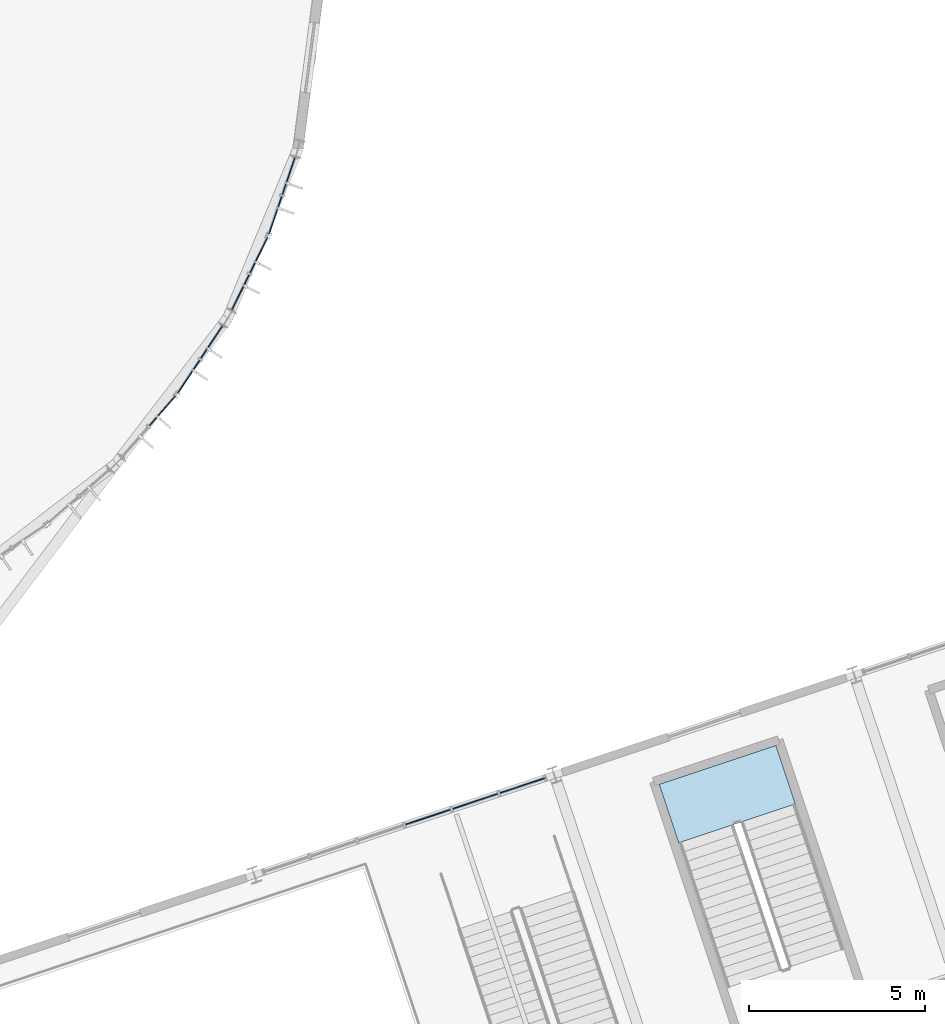
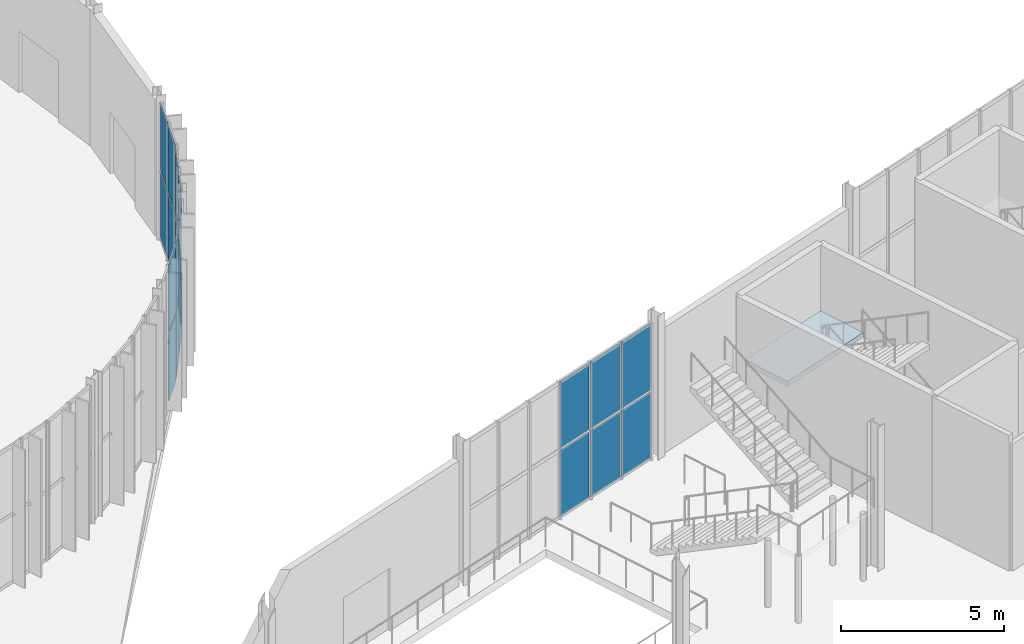
# One storey, part 109 of 158: 20 plates, 1 slab, 6 elements without a shape of their own.
"""IFC4 building model written with IfcOpenShell, lengths in metres."""

from ifc_helpers import new_model, si_unit, derived_unit, direction, frame, origin, origin_2d, place, context, subcontext, project, spatial, polyline, rectangle, outline, extrude, material, layer, layer_set, type_object, element, aggregate, save


model = new_model("IFC4")

# Units and contexts
model_context = context("Model", 3, precision=1e-05, world=origin(), true_north=direction((0.0, 1.0)))
body_context = subcontext(model_context, "Body", "Model", "MODEL_VIEW")
ifc_project = project(units=[si_unit("LENGTHUNIT", "METRE"), si_unit("AREAUNIT", "SQUARE_METRE"), si_unit("VOLUMEUNIT", "CUBIC_METRE"), si_unit("PLANEANGLEUNIT", "RADIAN"), si_unit("MASSUNIT", "GRAM", prefix="KILO"), si_unit("THERMODYNAMICTEMPERATUREUNIT", "KELVIN"), si_unit("TIMEUNIT", "SECOND"), derived_unit("THERMALTRANSMITTANCEUNIT", [(si_unit("MASSUNIT", "GRAM", prefix="KILO"), 1), (si_unit("THERMODYNAMICTEMPERATUREUNIT", "KELVIN"), -1), (si_unit("TIMEUNIT", "SECOND"), -3)])], contexts=[model_context])

# Site, building, storey
site_placement = place(None, origin())
site = spatial("IfcSite", under=ifc_project, at=site_placement, CompositionType="ELEMENT")
building_placement = place(site_placement, origin())
building = spatial("IfcBuilding", under=site, at=building_placement, Name="Cambertide Market Hall", CompositionType="ELEMENT")
storey_placement = place(building_placement, origin())
storey = spatial("IfcBuildingStorey", under=building, at=storey_placement, Name="L01", CompositionType="ELEMENT", Elevation=0.0)

# Stair, slab
ifc_material_1 = material(Name="Concrete B35", Category="concrete")
stair_type = type_object("IfcStairType", Name="Concrete Dogleg Stair ST-06B", PredefinedType="HALF_TURN_STAIR", material=ifc_material_1)
stair_placement = place(storey_placement, origin())
stair = element("IfcStair", 1, at=stair_placement, inside=storey, type_object=stair_type, Name="Level 1 Exit Stair Core 06B", PredefinedType="HALF_TURN_STAIR")
ifc_material_2 = material(Name="Concrete B35", Category="concrete")
ifc_layer_1 = layer(ifc_material_2, 0.199951171875, Name="Concrete Stair Half-Landing 200")
ifc_layer_set_1 = layer_set([ifc_layer_1], Name="Concrete B35")
slab_type = type_object("IfcSlabType", Name="Concrete Stair Half-Landing 200", PredefinedType="LANDING", material=ifc_layer_set_1)
slab_placement = place(storey_placement, frame((0.0, 0.0, 2.5)))
slab = element("IfcSlab", 2, at=slab_placement, type_object=slab_type, Name="ST-06B landing 1", PredefinedType="LANDING", context=body_context, shape_type="SweptSolid", body=[
    extrude(outline(polyline([(138.477783203125, 48.172607421875), (137.923095703125, 49.836669921875), (134.602783203125, 48.729736328125), (135.157470703125, 47.06591796875), (138.477783203125, 48.172607421875)])), origin(), (0.0, 0.0, 1.0), 0.199951171875),
])
aggregate(stair, [slab])

# Curtain wall, plates
ifc_material_3 = material(Name="Marine Anodized Aluminium 6063-T6 AA25", Category="aluminium")
curtain_wall_type_1 = type_object("IfcCurtainWallType", Name="Lantern Apse Chord Lower Curtain Wall", PredefinedType="USERDEFINED", material=ifc_material_3)
curtain_wall_1_placement = place(storey_placement, origin())
curtain_wall_1 = element("IfcCurtainWall", 3, at=curtain_wall_1_placement, inside=storey, type_object=curtain_wall_type_1, Name="Level 1 Curtain Wall CW-V1AE-L01-07", ObjectType="UNITIZED CURTAIN WALL", PredefinedType="USERDEFINED")
ifc_material_4 = material(Name="Low-E Laminated Insulated Glass", Category="glass")
ifc_layer_2 = layer(ifc_material_4, 0.028076171875, Name="Vision Insulated Glazing Panel 28")
ifc_layer_set_2 = layer_set([ifc_layer_2], Name="Low-E Laminated Insulated Glass")
plate_type = type_object("IfcPlateType", Name="Vision Insulated Glazing Panel 28", PredefinedType="CURTAIN_PANEL", material=ifc_layer_set_2)
plate_1_placement = place(storey_placement, frame((120.462158203125, 59.363037109375, 0.0400390625), z_axis=(0.0, 0.0, 1.0), x_axis=(-0.659345784014, -0.751839834741, 0.0)))
plate_1 = element("IfcPlate", 4, at=plate_1_placement, type_object=plate_type, Name="CW-V1AE-L01-07 Glazing Panel 1-1", PredefinedType="CURTAIN_PANEL", context=body_context, shape_type="SweptSolid", body=[
    extrude(rectangle(XDim=1.108154296875, YDim=0.028076171875, at=origin_2d()), origin(), (0.0, 0.0, 1.0), 2.5),
])
plate_2_placement = place(storey_placement, frame((120.462158203125, 59.363037109375, 2.6201171875), z_axis=(0.0, 0.0, 1.0), x_axis=(-0.659345784014, -0.751839834741, 0.0)))
plate_2 = element("IfcPlate", 5, at=plate_2_placement, type_object=plate_type, Name="CW-V1AE-L01-07 Glazing Panel 2-1", PredefinedType="CURTAIN_PANEL", context=body_context, shape_type="SweptSolid", body=[
    extrude(rectangle(XDim=1.108154296875, YDim=0.028076171875, at=origin_2d()), origin(), (0.0, 0.0, 1.0), 2.5),
])
aggregate(curtain_wall_1, [plate_1, plate_2])

curtain_wall_2_placement = place(storey_placement, origin())
curtain_wall_2 = element("IfcCurtainWall", 6, at=curtain_wall_2_placement, inside=storey, type_object=curtain_wall_type_1, Name="Level 1 Curtain Wall CW-V1AE-L01-08", ObjectType="UNITIZED CURTAIN WALL", PredefinedType="USERDEFINED")
plate_3_placement = place(storey_placement, frame((121.8681640625, 61.3232421875, 0.0400390625), z_axis=(0.0, 0.0, 1.0), x_axis=(-0.555570087582, -0.831469709481, 0.0)))
plate_3 = element("IfcPlate", 7, at=plate_3_placement, type_object=plate_type, Name="CW-V1AE-L01-08 Glazing Panel 1-1", PredefinedType="CURTAIN_PANEL", context=body_context, shape_type="SweptSolid", body=[
    extrude(rectangle(XDim=1.108154296875, YDim=0.028076171875, at=origin_2d()), origin(), (0.0, 0.0, 1.0), 2.5),
])
plate_4_placement = place(storey_placement, frame((121.208251953125, 60.335205078125, 0.0400390625), z_axis=(0.0, 0.0, 1.0), x_axis=(-0.555570087582, -0.831469709481, 0.0)))
plate_4 = element("IfcPlate", 8, at=plate_4_placement, type_object=plate_type, Name="CW-V1AE-L01-08 Glazing Panel 1-2", PredefinedType="CURTAIN_PANEL", context=body_context, shape_type="SweptSolid", body=[
    extrude(rectangle(XDim=1.108154296875, YDim=0.028076171875, at=origin_2d()), origin(), (0.0, 0.0, 1.0), 2.5),
])
plate_5_placement = place(storey_placement, frame((121.8681640625, 61.3232421875, 2.6201171875), z_axis=(0.0, 0.0, 1.0), x_axis=(-0.555570087582, -0.831469709481, 0.0)))
plate_5 = element("IfcPlate", 9, at=plate_5_placement, type_object=plate_type, Name="CW-V1AE-L01-08 Glazing Panel 2-1", PredefinedType="CURTAIN_PANEL", context=body_context, shape_type="SweptSolid", body=[
    extrude(rectangle(XDim=1.108154296875, YDim=0.028076171875, at=origin_2d()), origin(), (0.0, 0.0, 1.0), 2.5),
])
plate_6_placement = place(storey_placement, frame((121.208251953125, 60.335205078125, 2.6201171875), z_axis=(0.0, 0.0, 1.0), x_axis=(-0.555570087582, -0.831469709481, 0.0)))
plate_6 = element("IfcPlate", 10, at=plate_6_placement, type_object=plate_type, Name="CW-V1AE-L01-08 Glazing Panel 2-2", PredefinedType="CURTAIN_PANEL", context=body_context, shape_type="SweptSolid", body=[
    extrude(rectangle(XDim=1.108154296875, YDim=0.028076171875, at=origin_2d()), origin(), (0.0, 0.0, 1.0), 2.5),
])
aggregate(curtain_wall_2, [plate_3, plate_4, plate_5, plate_6])

curtain_wall_3_placement = place(storey_placement, origin())
curtain_wall_3 = element("IfcCurtainWall", 11, at=curtain_wall_3_placement, inside=storey, type_object=curtain_wall_type_1, Name="Level 1 Curtain Wall CW-V1AE-L01-09", ObjectType="UNITIZED CURTAIN WALL", PredefinedType="USERDEFINED")
plate_7_placement = place(storey_placement, frame((123.2060546875, 63.795654296875, 0.0400390625), z_axis=(0.0, 0.0, 1.0), x_axis=(-0.442288874522, -0.896872650645, 0.0)))
plate_7 = element("IfcPlate", 12, at=plate_7_placement, type_object=plate_type, Name="CW-V1AE-L01-09 Glazing Panel 1-1", PredefinedType="CURTAIN_PANEL", context=body_context, shape_type="SweptSolid", body=[
    extrude(rectangle(XDim=1.108154296875, YDim=0.028076171875, at=origin_2d()), origin(), (0.0, 0.0, 1.0), 2.5),
])
plate_8_placement = place(storey_placement, frame((122.6806640625, 62.72998046875, 0.0400390625), z_axis=(0.0, 0.0, 1.0), x_axis=(-0.442288874522, -0.896872650645, 0.0)))
plate_8 = element("IfcPlate", 13, at=plate_8_placement, type_object=plate_type, Name="CW-V1AE-L01-09 Glazing Panel 1-2", PredefinedType="CURTAIN_PANEL", context=body_context, shape_type="SweptSolid", body=[
    extrude(rectangle(XDim=1.108154296875, YDim=0.028076171875, at=origin_2d()), origin(), (0.0, 0.0, 1.0), 2.5),
])
plate_9_placement = place(storey_placement, frame((123.2060546875, 63.795654296875, 2.6201171875), z_axis=(0.0, 0.0, 1.0), x_axis=(-0.442288874522, -0.896872650645, 0.0)))
plate_9 = element("IfcPlate", 14, at=plate_9_placement, type_object=plate_type, Name="CW-V1AE-L01-09 Glazing Panel 2-1", PredefinedType="CURTAIN_PANEL", context=body_context, shape_type="SweptSolid", body=[
    extrude(rectangle(XDim=1.108154296875, YDim=0.028076171875, at=origin_2d()), origin(), (0.0, 0.0, 1.0), 2.5),
])
plate_10_placement = place(storey_placement, frame((122.6806640625, 62.72998046875, 2.6201171875), z_axis=(0.0, 0.0, 1.0), x_axis=(-0.442288874522, -0.896872650645, 0.0)))
plate_10 = element("IfcPlate", 15, at=plate_10_placement, type_object=plate_type, Name="CW-V1AE-L01-09 Glazing Panel 2-2", PredefinedType="CURTAIN_PANEL", context=body_context, shape_type="SweptSolid", body=[
    extrude(rectangle(XDim=1.108154296875, YDim=0.028076171875, at=origin_2d()), origin(), (0.0, 0.0, 1.0), 2.5),
])
aggregate(curtain_wall_3, [plate_7, plate_8, plate_9, plate_10])

curtain_wall_4_placement = place(storey_placement, origin())
curtain_wall_4 = element("IfcCurtainWall", 16, at=curtain_wall_4_placement, inside=storey, type_object=curtain_wall_type_1, Name="Level 1 Curtain Wall CW-V1AE-L01-10", ObjectType="UNITIZED CURTAIN WALL", PredefinedType="USERDEFINED")
plate_11_placement = place(storey_placement, frame((124.056884765625, 66.052734375, 0.0400390625), z_axis=(0.0, 0.0, 1.0), x_axis=(-0.32143947831, -0.94693012508, 0.0)))
plate_11 = element("IfcPlate", 17, at=plate_11_placement, type_object=plate_type, Name="CW-V1AE-L01-10 Glazing Panel 1-1", PredefinedType="CURTAIN_PANEL", context=body_context, shape_type="SweptSolid", body=[
    extrude(rectangle(XDim=1.108154296875, YDim=0.028076171875, at=origin_2d()), origin(), (0.0, 0.0, 1.0), 2.5),
])
plate_12_placement = place(storey_placement, frame((123.675048828125, 64.927734375, 0.0400390625), z_axis=(0.0, 0.0, 1.0), x_axis=(-0.32143947831, -0.94693012508, 0.0)))
plate_12 = element("IfcPlate", 18, at=plate_12_placement, type_object=plate_type, Name="CW-V1AE-L01-10 Glazing Panel 1-2", PredefinedType="CURTAIN_PANEL", context=body_context, shape_type="SweptSolid", body=[
    extrude(rectangle(XDim=1.108154296875, YDim=0.028076171875, at=origin_2d()), origin(), (0.0, 0.0, 1.0), 2.5),
])
plate_13_placement = place(storey_placement, frame((124.056884765625, 66.052734375, 2.6201171875), z_axis=(0.0, 0.0, 1.0), x_axis=(-0.32143947831, -0.94693012508, 0.0)))
plate_13 = element("IfcPlate", 19, at=plate_13_placement, type_object=plate_type, Name="CW-V1AE-L01-10 Glazing Panel 2-1", PredefinedType="CURTAIN_PANEL", context=body_context, shape_type="SweptSolid", body=[
    extrude(rectangle(XDim=1.108154296875, YDim=0.028076171875, at=origin_2d()), origin(), (0.0, 0.0, 1.0), 2.5),
])
plate_14_placement = place(storey_placement, frame((123.675048828125, 64.927734375, 2.6201171875), z_axis=(0.0, 0.0, 1.0), x_axis=(-0.32143947831, -0.94693012508, 0.0)))
plate_14 = element("IfcPlate", 20, at=plate_14_placement, type_object=plate_type, Name="CW-V1AE-L01-10 Glazing Panel 2-2", PredefinedType="CURTAIN_PANEL", context=body_context, shape_type="SweptSolid", body=[
    extrude(rectangle(XDim=1.108154296875, YDim=0.028076171875, at=origin_2d()), origin(), (0.0, 0.0, 1.0), 2.5),
])
aggregate(curtain_wall_4, [plate_11, plate_12, plate_13, plate_14])

ifc_material_5 = material(Name="Marine Anodized Aluminium 6063-T6 AA25", Category="aluminium")
curtain_wall_type_2 = type_object("IfcCurtainWallType", Name="Food Court Ground Glazed Facade", PredefinedType="USERDEFINED", material=ifc_material_5)
curtain_wall_5_placement = place(storey_placement, origin())
curtain_wall_5 = element("IfcCurtainWall", 21, at=curtain_wall_5_placement, inside=storey, type_object=curtain_wall_type_2, Name="Level 1 Curtain Wall CW-V3N-L01-4", ObjectType="UNITIZED CURTAIN WALL", PredefinedType="USERDEFINED")
plate_15_placement = place(storey_placement, frame((128.01904296875, 47.800048828125, 0.0400390625), z_axis=(0.0, 0.0, 1.0), x_axis=(0.948683286311, 0.316227801236, 0.0)))
plate_15 = element("IfcPlate", 22, at=plate_15_placement, type_object=plate_type, Name="CW-V3N-L01-4 Glazing Panel 1-4", PredefinedType="CURTAIN_PANEL", context=body_context, shape_type="SweptSolid", body=[
    extrude(rectangle(XDim=1.340087890625, YDim=0.028076171875, at=origin_2d()), origin(), (0.0, 0.0, 1.0), 2.47998046875),
])
plate_16_placement = place(storey_placement, frame((129.365966796875, 48.249267578125, 0.0400390625), z_axis=(0.0, 0.0, 1.0), x_axis=(0.948683286311, 0.316227801236, 0.0)))
plate_16 = element("IfcPlate", 23, at=plate_16_placement, type_object=plate_type, Name="CW-V3N-L01-4 Glazing Panel 1-5", PredefinedType="CURTAIN_PANEL", context=body_context, shape_type="SweptSolid", body=[
    extrude(rectangle(XDim=1.340087890625, YDim=0.028076171875, at=origin_2d()), origin(), (0.0, 0.0, 1.0), 2.47998046875),
])
plate_17_placement = place(storey_placement, frame((130.713134765625, 48.6982421875, 0.0400390625), z_axis=(0.0, 0.0, 1.0), x_axis=(0.948683286311, 0.316227801236, 0.0)))
plate_17 = element("IfcPlate", 24, at=plate_17_placement, type_object=plate_type, Name="CW-V3N-L01-4 Glazing Panel 1-6", PredefinedType="CURTAIN_PANEL", context=body_context, shape_type="SweptSolid", body=[
    extrude(rectangle(XDim=1.340087890625, YDim=0.028076171875, at=origin_2d()), origin(), (0.0, 0.0, 1.0), 2.47998046875),
])
plate_18_placement = place(storey_placement, frame((128.01904296875, 47.800048828125, 2.60009765625), z_axis=(0.0, 0.0, 1.0), x_axis=(0.948683286311, 0.316227801236, 0.0)))
plate_18 = element("IfcPlate", 25, at=plate_18_placement, type_object=plate_type, Name="CW-V3N-L01-4 Glazing Panel 2-4", PredefinedType="CURTAIN_PANEL", context=body_context, shape_type="SweptSolid", body=[
    extrude(rectangle(XDim=1.340087890625, YDim=0.028076171875, at=origin_2d()), origin(), (0.0, 0.0, 1.0), 2.47998046875),
])
plate_19_placement = place(storey_placement, frame((129.365966796875, 48.249267578125, 2.60009765625), z_axis=(0.0, 0.0, 1.0), x_axis=(0.948683286311, 0.316227801236, 0.0)))
plate_19 = element("IfcPlate", 26, at=plate_19_placement, type_object=plate_type, Name="CW-V3N-L01-4 Glazing Panel 2-5", PredefinedType="CURTAIN_PANEL", context=body_context, shape_type="SweptSolid", body=[
    extrude(rectangle(XDim=1.340087890625, YDim=0.028076171875, at=origin_2d()), origin(), (0.0, 0.0, 1.0), 2.47998046875),
])
plate_20_placement = place(storey_placement, frame((130.713134765625, 48.6982421875, 2.60009765625), z_axis=(0.0, 0.0, 1.0), x_axis=(0.948683286311, 0.316227801236, 0.0)))
plate_20 = element("IfcPlate", 27, at=plate_20_placement, type_object=plate_type, Name="CW-V3N-L01-4 Glazing Panel 2-6", PredefinedType="CURTAIN_PANEL", context=body_context, shape_type="SweptSolid", body=[
    extrude(rectangle(XDim=1.340087890625, YDim=0.028076171875, at=origin_2d()), origin(), (0.0, 0.0, 1.0), 2.47998046875),
])
aggregate(curtain_wall_5, [plate_15, plate_16, plate_17, plate_18, plate_19, plate_20])

save(model, "model.ifc")
